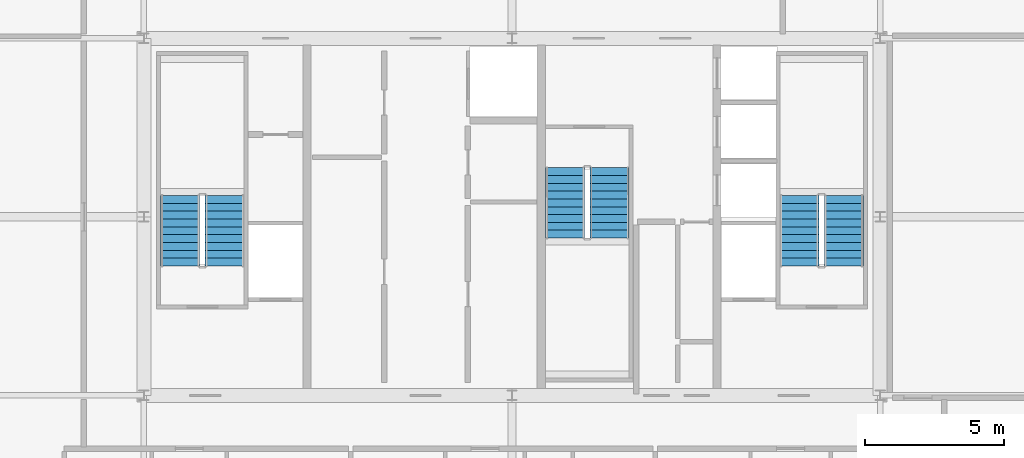
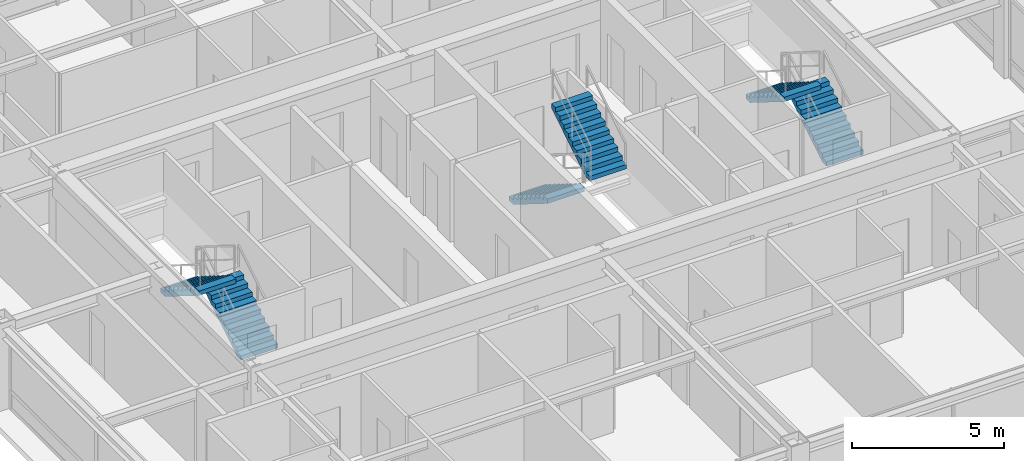
# One storey, part 34 of 35: 6 stair flights, 3 elements without a shape of their own.
"""IFC4 building model written with IfcOpenShell, lengths in metres."""

from ifc_helpers import new_model, si_unit, direction, frame, origin, place, context, subcontext, project, spatial, polyline, outline, extrude, source, transform, mapped, material, type_object, element, aggregate, save


model = new_model("IFC4")

# Units and contexts
model_context = context("Model", 3, precision=1e-05, world=origin(), true_north=direction((0.0, 1.0)))
body_context = subcontext(model_context, "Body", "Model", "MODEL_VIEW")
ifc_project = project(units=[si_unit("LENGTHUNIT", "METRE"), si_unit("AREAUNIT", "SQUARE_METRE"), si_unit("VOLUMEUNIT", "CUBIC_METRE"), si_unit("PLANEANGLEUNIT", "RADIAN"), si_unit("MASSUNIT", "GRAM", prefix="KILO"), si_unit("THERMODYNAMICTEMPERATUREUNIT", "KELVIN"), si_unit("POWERUNIT", "WATT")], contexts=[model_context])

# Site, building, storey
site_placement = place(None, origin())
site = spatial("IfcSite", under=ifc_project, at=site_placement, CompositionType="ELEMENT")
building_placement = place(site_placement, origin())
building = spatial("IfcBuilding", under=site, at=building_placement, Name="Yuzanri Waterfront Tower", CompositionType="ELEMENT")
storey_placement = place(building_placement, frame((0.0, 0.0, 314.699951171875)))
storey = spatial("IfcBuildingStorey", under=building, at=storey_placement, Name="L84", CompositionType="ELEMENT", Elevation=314.699951171875)

# Stair, stair flights
ifc_material_1 = material(Name="Concrete C40", Category="concrete")
stair_type = type_object("IfcStairType", Name="Concrete C40 Core Dogleg Exit Stair", PredefinedType="HALF_TURN_STAIR", material=ifc_material_1)
stair_1_placement = place(storey_placement, origin())
stair_1 = element("IfcStair", 1, at=stair_1_placement, inside=storey, type_object=stair_type, Name="L84 Smoke-Proof Core Stair ST-01", PredefinedType="HALF_TURN_STAIR")
ifc_material_2 = material(Name="Concrete C40", Category="concrete")
stair_flight_type = type_object("IfcStairFlightType", Name="Concrete C40 Precast Stair Flight 1380", PredefinedType="STRAIGHT", material=ifc_material_2)
shared_shape = source(origin(), body_context, "Body", "SweptSolid", [
    extrude(outline(polyline([(0.0, 0.0), (0.0, 0.175048828125), (0.280029296875, 0.175048828125), (0.280029296875, 0.35009765625), (0.56005859375, 0.35009765625), (0.56005859375, 0.52490234375), (0.840087890625, 0.52490234375), (0.840087890625, 0.699951171875), (1.1201171875, 0.699951171875), (1.1201171875, 0.875), (1.39990234375, 0.875), (1.39990234375, 1.050048828125), (1.679931640625, 1.050048828125), (1.679931640625, 1.22509765625), (1.9599609375, 1.22509765625), (1.9599609375, 1.39990234375), (2.239990234375, 1.39990234375), (2.239990234375, 1.574951171875), (2.52001953125, 1.574951171875), (2.52001953125, 1.75), (2.52001953125, 1.398193359375), (0.28271484375, 0.0), (0.0, 0.0)])), frame((0.0, 0.699951171875, 0.0), z_axis=(0.0, -1.0, 0.0), x_axis=(1.0, 0.0, 0.0)), (0.0, 0.0, 1.0), 1.39990234375),
])
stair_flight_1_placement = place(storey_placement, frame((26.699951171875, 24.0400390625, 0.0), z_axis=(0.0, 0.0, 1.0), x_axis=(0.0, 1.0, 0.0)))
stair_flight_1 = element("IfcStairFlight", 2, at=stair_flight_1_placement, type_object=stair_flight_type, Name="ST-01 flight 1", NumberOfRisers=10, NumberOfTreads=9, PredefinedType="STRAIGHT", RiserHeight=0.175, TreadLength=0.28, context=body_context, shape_type="MappedRepresentation", body=[
    mapped(shared_shape, transform((0.0, 0.0, 0.0), scale=1.0)),
])
stair_flight_2_placement = place(storey_placement, frame((25.10009765625, 26.56005859375, 1.75), z_axis=(0.0, 0.0, 1.0), x_axis=(0.0, -1.0, 0.0)))
stair_flight_2 = element("IfcStairFlight", 3, at=stair_flight_2_placement, type_object=stair_flight_type, Name="ST-01 flight 2", NumberOfRisers=10, NumberOfTreads=9, PredefinedType="STRAIGHT", RiserHeight=0.175, TreadLength=0.28, context=body_context, shape_type="MappedRepresentation", body=[
    mapped(shared_shape, transform((0.0, 0.0, 0.0), scale=1.0)),
])
aggregate(stair_1, [stair_flight_1, stair_flight_2])

stair_2_placement = place(storey_placement, origin())
stair_2 = element("IfcStair", 4, at=stair_2_placement, inside=storey, type_object=stair_type, Name="L84 Smoke-Proof Core Stair ST-02", PredefinedType="HALF_TURN_STAIR")
stair_flight_3_placement = place(storey_placement, frame((48.89990234375, 24.0400390625, 0.0), z_axis=(0.0, 0.0, 1.0), x_axis=(0.0, 1.0, 0.0)))
stair_flight_3 = element("IfcStairFlight", 5, at=stair_flight_3_placement, type_object=stair_flight_type, Name="ST-02 flight 1", NumberOfRisers=10, NumberOfTreads=9, PredefinedType="STRAIGHT", RiserHeight=0.175, TreadLength=0.28, context=body_context, shape_type="MappedRepresentation", body=[
    mapped(shared_shape, transform((0.0, 0.0, 0.0), scale=1.0)),
])
stair_flight_4_placement = place(storey_placement, frame((47.300048828125, 26.56005859375, 1.75), z_axis=(0.0, 0.0, 1.0), x_axis=(0.0, -1.0, 0.0)))
stair_flight_4 = element("IfcStairFlight", 6, at=stair_flight_4_placement, type_object=stair_flight_type, Name="ST-02 flight 2", NumberOfRisers=10, NumberOfTreads=9, PredefinedType="STRAIGHT", RiserHeight=0.175, TreadLength=0.28, context=body_context, shape_type="MappedRepresentation", body=[
    mapped(shared_shape, transform((0.0, 0.0, 0.0), scale=1.0)),
])
aggregate(stair_2, [stair_flight_3, stair_flight_4])

stair_3_placement = place(storey_placement, origin())
stair_3 = element("IfcStair", 7, at=stair_3_placement, inside=storey, type_object=stair_type, Name="L84 Smoke-Proof Core Stair ST-03", PredefinedType="HALF_TURN_STAIR")
stair_flight_5_placement = place(storey_placement, frame((38.89990234375, 27.56005859375, 0.0), z_axis=(0.0, 0.0, 1.0), x_axis=(0.0, -1.0, 0.0)))
stair_flight_5 = element("IfcStairFlight", 8, at=stair_flight_5_placement, type_object=stair_flight_type, Name="ST-03 flight 1", NumberOfRisers=10, NumberOfTreads=9, PredefinedType="STRAIGHT", RiserHeight=0.175, TreadLength=0.28, context=body_context, shape_type="MappedRepresentation", body=[
    mapped(shared_shape, transform((0.0, 0.0, 0.0), scale=1.0)),
])
stair_flight_6_placement = place(storey_placement, frame((40.5, 25.0400390625, 1.75), z_axis=(0.0, 0.0, 1.0), x_axis=(0.0, 1.0, 0.0)))
stair_flight_6 = element("IfcStairFlight", 9, at=stair_flight_6_placement, type_object=stair_flight_type, Name="ST-03 flight 2", NumberOfRisers=10, NumberOfTreads=9, PredefinedType="STRAIGHT", RiserHeight=0.175, TreadLength=0.28, context=body_context, shape_type="MappedRepresentation", body=[
    mapped(shared_shape, transform((0.0, 0.0, 0.0), scale=1.0)),
])
aggregate(stair_3, [stair_flight_5, stair_flight_6])

save(model, "model.ifc")
